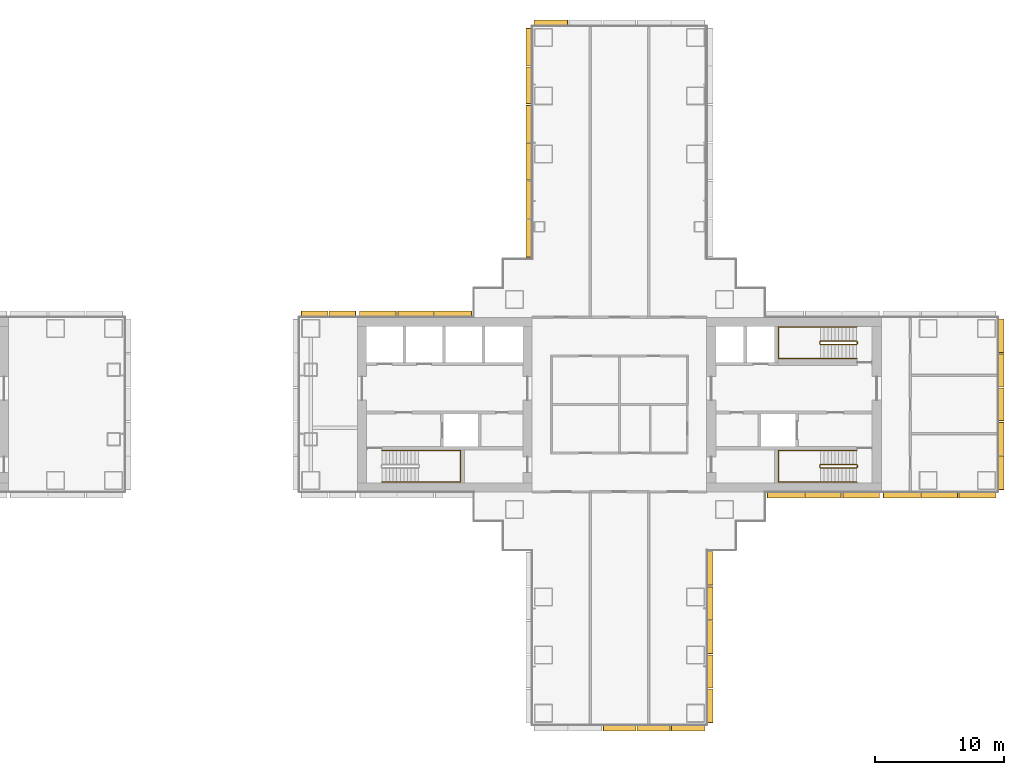
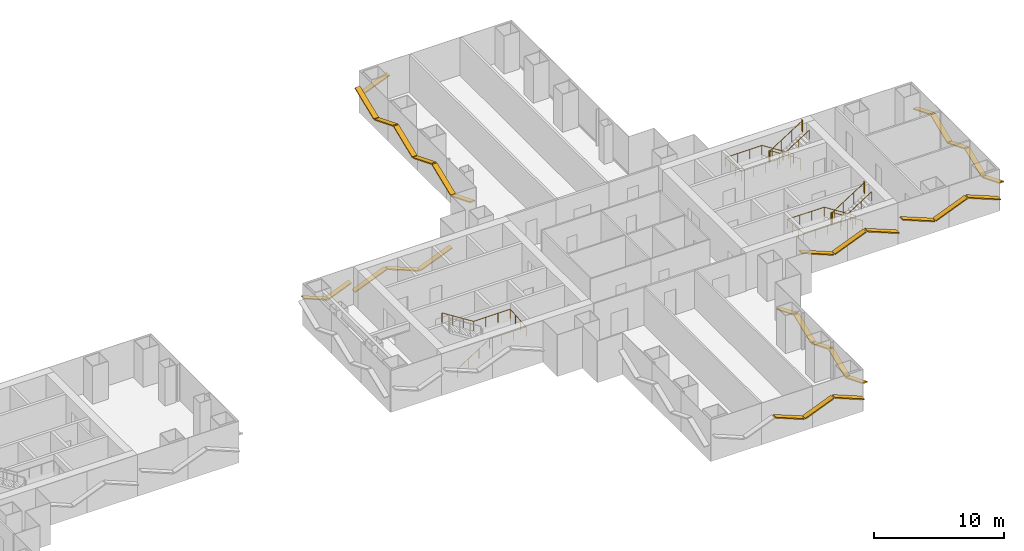
# One storey, part 20 of 21: 31 shading devices, 5 railings.
"""IFC4 building model written with IfcOpenShell, lengths in metres."""

import ifcopenshell
import ifcopenshell.guid

model = None  # the IFC model being written
_history = None  # IfcOwnerHistory: only IFC2X3 demands one
_inside = {}  # id of a spatial element -> (the spatial element, [elements in it])
_under = {}  # id of a project, library or spatial element -> (it, [spatial elements below it])
_declared = {}  # id of a project -> (the project, [libraries it declares])
_typed = {}  # id of a type object -> (the type object, [elements of that type])
_made_of = {}  # id of a material, layer set ... -> (it, [elements and type objects made of it])


def new_model(schema):
    """Start an empty IFC model of exactly this schema.

    Asked for "IFC4X3", IfcOpenShell would pick the latest addendum, in which some entities
    have other attributes; the version numbers below select the first issue.
    IFC2X3 requires an IfcOwnerHistory on every rooted entity: one is made here for all.
    """
    global model, _history
    if schema == "IFC4X3":
        model = ifcopenshell.file(schema_version=(4, 3, 0, 0))
    else:
        model = ifcopenshell.file(schema=schema)
    _inside.clear()
    _under.clear()
    _declared.clear()
    _typed.clear()
    _made_of.clear()
    _history = None
    if model.schema == "IFC2X3":
        org = make("IfcOrganization", Name="unknown")
        user = make(
            "IfcPersonAndOrganization",
            ThePerson=make("IfcPerson", FamilyName="unknown"),
            TheOrganization=org,
        )
        app = make(
            "IfcApplication",
            ApplicationDeveloper=org,
            Version="unknown",
            ApplicationFullName="unknown",
            ApplicationIdentifier="unknown",
        )
        _history = make(
            "IfcOwnerHistory",
            OwningUser=user,
            OwningApplication=app,
            ChangeAction="ADDED",
            CreationDate=0,
        )
    return model


def make(cls, **values):
    """One entity of the class cls with the attributes given. An attribute that is None is left unset."""
    return model.create_entity(
        cls, **{name: value for name, value in values.items() if value is not None}
    )


def rooted(cls, **values):
    """An entity with a GlobalId (a new one), such as an element, a storey or a relation."""
    return make(cls, GlobalId=ifcopenshell.guid.new(), OwnerHistory=_history, **values)


def si_unit(unit_type, name, prefix=None):
    """IfcSIUnit, for example si_unit("LENGTHUNIT", "METRE", prefix="MILLI")."""
    return make("IfcSIUnit", UnitType=unit_type, Prefix=prefix, Name=name)


def assignment(units):
    """IfcUnitAssignment: the units of a project."""
    return None if units is None else make("IfcUnitAssignment", Units=units)


def point(xyz):
    """IfcCartesianPoint."""
    return None if xyz is None else make("IfcCartesianPoint", Coordinates=xyz)


def direction(xyz):
    """IfcDirection."""
    return None if xyz is None else make("IfcDirection", DirectionRatios=xyz)


def frame(location, z_axis=None, x_axis=None):
    """IfcAxis2Placement3D, a coordinate frame: its origin and axes. An axis left out is left unset."""
    return make(
        "IfcAxis2Placement3D",
        Location=point(location),
        Axis=direction(z_axis),
        RefDirection=direction(x_axis),
    )


def frame_2d(location, x_axis=None):
    """IfcAxis2Placement2D, a coordinate frame in the plane: its origin and x axis."""
    return make(
        "IfcAxis2Placement2D", Location=point(location), RefDirection=direction(x_axis)
    )


def origin():
    """The frame at (0, 0, 0) with its axes left unset."""
    return frame((0.0, 0.0, 0.0))


def origin_2d():
    """The frame at (0, 0) in the plane with its x axis left unset."""
    return frame_2d((0.0, 0.0))


def place(relative_to, where):
    """IfcLocalPlacement: puts the frame where relative to a parent placement (None: the world)."""
    return make(
        "IfcLocalPlacement", PlacementRelTo=relative_to, RelativePlacement=where
    )


def context(
    kind, dimensions, precision=None, world=None, true_north=None, identifier=None
):
    """IfcGeometricRepresentationContext, for example the 3D "Model" context."""
    return make(
        "IfcGeometricRepresentationContext",
        ContextIdentifier=identifier,
        ContextType=kind,
        CoordinateSpaceDimension=dimensions,
        Precision=precision,
        WorldCoordinateSystem=world,
        TrueNorth=true_north,
    )


def subcontext(parent, identifier, kind, view, scale=None):
    """IfcGeometricRepresentationSubContext, for example "Body" below "Model"."""
    return make(
        "IfcGeometricRepresentationSubContext",
        ContextIdentifier=identifier,
        ContextType=kind,
        ParentContext=parent,
        TargetScale=scale,
        TargetView=view,
    )


def project(units=None, contexts=None):
    """IfcProject with its units and contexts."""
    return rooted(
        "IfcProject",
        Name="project",
        RepresentationContexts=contexts,
        UnitsInContext=assignment(units),
    )


def spatial(cls, under=None, at=None, **own):
    """A site, building, storey or space (cls), placed at a placement, below another one or the project."""
    s = rooted(cls, ObjectPlacement=at, **own)
    if under is not None:
        _under.setdefault(under.id(), (under, []))[1].append(s)
    return s


def profile(cls, at=None, kind="AREA", **sizes):
    """A parametric profile (cls). Its sizes go by their IFC names, for example OverallWidth=200.0."""
    return make(cls, ProfileType=kind, Position=at, **sizes)


def rectangle(**sizes):
    """IfcRectangleProfileDef."""
    return profile("IfcRectangleProfileDef", **sizes)


def circle(**sizes):
    """IfcCircleProfileDef."""
    return profile("IfcCircleProfileDef", **sizes)


def extrude(swept, where, along, depth):
    """IfcExtrudedAreaSolid: the profile swept, set in the frame where, extruded along a direction by depth."""
    return make(
        "IfcExtrudedAreaSolid",
        SweptArea=swept,
        Position=where,
        ExtrudedDirection=direction(along),
        Depth=depth,
    )


def shape(context_of_items, identifier, shape_type, items):
    """IfcShapeRepresentation: the items that make up one representation, for example the "Body"."""
    return make(
        "IfcShapeRepresentation",
        ContextOfItems=context_of_items,
        RepresentationIdentifier=identifier,
        RepresentationType=shape_type,
        Items=items,
    )


def material(Name=None, Category=None):
    """IfcMaterial."""
    return make("IfcMaterial", Name=Name, Category=Category)


def material_profile(
    of_material, cross_section, Name=None, Category=None, Priority=None
):
    """IfcMaterialProfile: a cross section and its material."""
    return make(
        "IfcMaterialProfile",
        Name=Name,
        Material=of_material,
        Profile=cross_section,
        Priority=Priority,
        Category=Category,
    )


def profile_set(profiles, Name=None, composite=None):
    """IfcMaterialProfileSet."""
    return make(
        "IfcMaterialProfileSet",
        Name=Name,
        MaterialProfiles=profiles,
        CompositeProfile=composite,
    )


def made_of(thing, what):
    """Note that an element or type object is made of a material, layer set ...; save() writes the relation."""
    if what is not None:
        _made_of.setdefault(what.id(), (what, []))[1].append(thing)
    return thing


def type_object(cls, material=None, **own):
    """A type object (cls), such as IfcWallType, which elements share."""
    return made_of(rooted(cls, **own), material)


def element(
    cls,
    number,
    at=None,
    inside=None,
    cuts=None,
    type_object=None,
    material=None,
    context=None,
    identifier="Body",
    shape_type=None,
    held_by="IfcProductDefinitionShape",
    body=None,
    shapes=None,
    **own,
):
    """One element of the class cls, such as IfcWall. Its Tag is "e" and its number.

    at: its placement. inside: the storey or other place that contains it. cuts: it is an
    opening in that element (IfcRelVoidsElement). A single representation is given by context,
    identifier, shape_type and body (its items); several are given by shapes. held_by: the class
    of the entity that holds the representations. save() writes the other relations.
    """
    e = rooted(cls, Tag="e%d" % number, ObjectPlacement=at, **own)
    if body is not None:
        shapes = [shape(context, identifier, shape_type, body)]
    if shapes is not None:
        e.Representation = make(held_by, Representations=shapes)
    if inside is not None:
        _inside.setdefault(inside.id(), (inside, []))[1].append(e)
    if cuts is not None:
        rooted(
            "IfcRelVoidsElement", RelatingBuildingElement=cuts, RelatedOpeningElement=e
        )
    if type_object is not None:
        _typed.setdefault(type_object.id(), (type_object, []))[1].append(e)
    return made_of(e, material)


def aggregate(whole, parts):
    """IfcRelAggregates: a whole, such as a stair, and the parts it consists of."""
    return rooted("IfcRelAggregates", RelatingObject=whole, RelatedObjects=parts)


def save(model, path):
    """Write the relations noted so far, then the file.

    IfcRelAggregates (storeys below a building ...), IfcRelContainedInSpatialStructure (elements
    in a storey), IfcRelDefinesByType, IfcRelAssociatesMaterial and IfcRelDeclares: one each for
    every whole, place, type object, material and project.
    """
    for whole, parts in _under.values():
        aggregate(whole, parts)
    for where, things in _inside.values():
        rooted(
            "IfcRelContainedInSpatialStructure",
            RelatedElements=things,
            RelatingStructure=where,
        )
    for kind, things in _typed.values():
        rooted("IfcRelDefinesByType", RelatedObjects=things, RelatingType=kind)
    for what, things in _made_of.values():
        rooted("IfcRelAssociatesMaterial", RelatedObjects=things, RelatingMaterial=what)
    for by, libraries in _declared.values():
        rooted("IfcRelDeclares", RelatingContext=by, RelatedDefinitions=libraries)
    model.write(path)


model = new_model("IFC4")

# Units and contexts
model_context = context("Model", 3, precision=1e-05, world=origin(), true_north=direction((0.0, 1.0)))
body_context = subcontext(model_context, "Body", "Model", "MODEL_VIEW")
ifc_project = project(units=[si_unit("LENGTHUNIT", "METRE"), si_unit("AREAUNIT", "SQUARE_METRE"), si_unit("VOLUMEUNIT", "CUBIC_METRE"), si_unit("PLANEANGLEUNIT", "RADIAN"), si_unit("MASSUNIT", "GRAM", prefix="KILO")], contexts=[model_context])

# Site, building, storey
site_placement = place(None, origin())
site = spatial("IfcSite", under=ifc_project, at=site_placement, CompositionType="ELEMENT")
building_placement = place(site_placement, origin())
building = spatial("IfcBuilding", under=site, at=building_placement, Name="Shamsa Quay Exchange Towers", CompositionType="ELEMENT")
storey_placement = place(building_placement, frame((0.0, 0.0, 57.60009765625)))
storey = spatial("IfcBuildingStorey", under=building, at=storey_placement, Name="L12", CompositionType="ELEMENT", Elevation=57.60009765625)

# Shading devices
ifc_material_1 = material(Name="Aluminium EN AW-6063 T6, black anodised", Category="aluminium")
ifc_material_profile = material_profile(ifc_material_1, rectangle(XDim=0.449951171875, YDim=0.10009765625, at=origin_2d()), Name="FIN450x100")
ifc_profile_set = profile_set([ifc_material_profile], Name="Aluminium EN AW-6063 T6, black anodised")
shading_device_type = type_object("IfcShadingDeviceType", Name="FIN 450x100 BLACK ALUMINIUM", PredefinedType="USERDEFINED", material=ifc_profile_set)
shading_device_1_placement = place(storey_placement, frame((45.18798828125, -7.01904296875, 2.173095703125), z_axis=(0.927172570945, 0.0, -0.374634520148), x_axis=(0.0, 1.0, 0.0)))
element("IfcShadingDevice", 1, at=shading_device_1_placement, inside=storey, type_object=shading_device_type, Name="FIN T2 chevron rib", ObjectType="FIN", PredefinedType="USERDEFINED", context=body_context, shape_type="SweptSolid", body=[
    extrude(rectangle(XDim=0.449951171875, YDim=0.10009765625, at=origin_2d()), origin(), (0.0, 0.0, 1.0), 3.060302734375),
])
shading_device_2_placement = place(storey_placement, frame((48.125244140625, -7.01904296875, 1.036865234375), z_axis=(0.927177294124, 0.0, 0.374622830673), x_axis=(0.0, 1.0, 0.0)))
element("IfcShadingDevice", 2, at=shading_device_2_placement, inside=storey, type_object=shading_device_type, Name="FIN T2 chevron rib", ObjectType="FIN", PredefinedType="USERDEFINED", context=body_context, shape_type="SweptSolid", body=[
    extrude(rectangle(XDim=0.449951171875, YDim=0.10009765625, at=origin_2d()), origin(), (0.0, 0.0, 1.0), 3.00634765625),
])
shading_device_3_placement = place(storey_placement, frame((51.0126953125, -7.01904296875, 2.173095703125), z_axis=(0.927172570945, 0.0, -0.374634520148), x_axis=(0.0, 1.0, 0.0)))
element("IfcShadingDevice", 3, at=shading_device_3_placement, inside=storey, type_object=shading_device_type, Name="FIN T2 chevron rib", ObjectType="FIN", PredefinedType="USERDEFINED", context=body_context, shape_type="SweptSolid", body=[
    extrude(rectangle(XDim=0.449951171875, YDim=0.10009765625, at=origin_2d()), origin(), (0.0, 0.0, 1.0), 3.060302734375),
])
shading_device_4_placement = place(storey_placement, frame((54.14990234375, -7.014892578125, 2.175537109375), z_axis=(0.927200465101, 0.0, -0.374565478278), x_axis=(0.0, 1.0, 0.0)))
element("IfcShadingDevice", 4, at=shading_device_4_placement, inside=storey, type_object=shading_device_type, Name="FIN T2 chevron rib", ObjectType="FIN", PredefinedType="USERDEFINED", context=body_context, shape_type="SweptSolid", body=[
    extrude(rectangle(XDim=0.449951171875, YDim=0.10009765625, at=origin_2d()), origin(), (0.0, 0.0, 1.0), 3.073974609375),
])
shading_device_5_placement = place(storey_placement, frame((57.10009765625, -7.014892578125, 1.0341796875), z_axis=(0.927166240011, 0.0, 0.37465018802), x_axis=(0.0, 1.0, 0.0)))
element("IfcShadingDevice", 5, at=shading_device_5_placement, inside=storey, type_object=shading_device_type, Name="FIN T2 chevron rib", ObjectType="FIN", PredefinedType="USERDEFINED", context=body_context, shape_type="SweptSolid", body=[
    extrude(rectangle(XDim=0.449951171875, YDim=0.10009765625, at=origin_2d()), origin(), (0.0, 0.0, 1.0), 3.019775390625),
])
shading_device_6_placement = place(storey_placement, frame((60.0, -7.014892578125, 2.175537109375), z_axis=(0.927200465101, 0.0, -0.374565478278), x_axis=(0.0, 1.0, 0.0)))
element("IfcShadingDevice", 6, at=shading_device_6_placement, inside=storey, type_object=shading_device_type, Name="FIN T2 chevron rib", ObjectType="FIN", PredefinedType="USERDEFINED", context=body_context, shape_type="SweptSolid", body=[
    extrude(rectangle(XDim=0.449951171875, YDim=0.10009765625, at=origin_2d()), origin(), (0.0, 0.0, 1.0), 3.073974609375),
])
shading_device_7_placement = place(storey_placement, frame((63.264892578125, -6.60009765625, 2.123046875), z_axis=(0.0, 0.927193392866, -0.374582984431), x_axis=(-1.0, 0.0, 0.0)))
element("IfcShadingDevice", 7, at=shading_device_7_placement, inside=storey, type_object=shading_device_type, Name="FIN T2 chevron rib", ObjectType="FIN", PredefinedType="USERDEFINED", context=body_context, shape_type="SweptSolid", body=[
    extrude(rectangle(XDim=0.449951171875, YDim=0.10009765625, at=origin_2d()), origin(), (0.0, 0.0, 1.0), 2.79345703125),
])
shading_device_8_placement = place(storey_placement, frame((63.264892578125, -3.909912109375, 1.086669921875), z_axis=(0.0, 0.927155522456, 0.374676710219), x_axis=(-1.0, 0.0, 0.0)))
element("IfcShadingDevice", 8, at=shading_device_8_placement, inside=storey, type_object=shading_device_type, Name="FIN T2 chevron rib", ObjectType="FIN", PredefinedType="USERDEFINED", context=body_context, shape_type="SweptSolid", body=[
    extrude(rectangle(XDim=0.449951171875, YDim=0.10009765625, at=origin_2d()), origin(), (0.0, 0.0, 1.0), 2.7392578125),
])
shading_device_9_placement = place(storey_placement, frame((63.264892578125, -1.27001953125, 2.113037109375), z_axis=(0.0, 0.927168032348, -0.374645752402), x_axis=(-1.0, 0.0, 0.0)))
element("IfcShadingDevice", 9, at=shading_device_9_placement, inside=storey, type_object=shading_device_type, Name="FIN T2 chevron rib", ObjectType="FIN", PredefinedType="USERDEFINED", context=body_context, shape_type="SweptSolid", body=[
    extrude(rectangle(XDim=0.449951171875, YDim=0.10009765625, at=origin_2d()), origin(), (0.0, 0.0, 1.0), 2.739501953125),
])
shading_device_10_placement = place(storey_placement, frame((63.264892578125, 1.3701171875, 1.086669921875), z_axis=(0.0, 0.927155522456, 0.374676710219), x_axis=(-1.0, 0.0, 0.0)))
element("IfcShadingDevice", 10, at=shading_device_10_placement, inside=storey, type_object=shading_device_type, Name="FIN T2 chevron rib", ObjectType="FIN", PredefinedType="USERDEFINED", context=body_context, shape_type="SweptSolid", body=[
    extrude(rectangle(XDim=0.449951171875, YDim=0.10009765625, at=origin_2d()), origin(), (0.0, 0.0, 1.0), 2.7392578125),
])
for number, where, z_axis, x_axis, name in (
    (11, (63.264892578125, 4.010009765625, 2.123046875), (0.0, 0.927193392866, -0.374582984431), (-1.0, 0.0, 0.0), "FIN T2 chevron rib"),
    (12, (29.739990234375, 29.514892578125, 2.123046875), (-0.927193392866, 0.0, -0.374582984431), (0.0, -1.0, 0.0), "FIN T2 chevron rib"),
):
    element("IfcShadingDevice", number, at=place(storey_placement, frame(where, z_axis=z_axis, x_axis=x_axis)), inside=storey, type_object=shading_device_type, Name=name, ObjectType="FIN", PredefinedType="USERDEFINED", context=body_context, shape_type="SweptSolid", body=[
        extrude(rectangle(XDim=0.449951171875, YDim=0.10009765625, at=origin_2d()), origin(), (0.0, 0.0, 1.0), 2.79345703125),
    ])
shading_device_11_placement = place(storey_placement, frame((26.735107421875, 29.10009765625, 2.185791015625), z_axis=(0.0, -0.927195444727, -0.374577905484), x_axis=(1.0, 0.0, 0.0)))
element("IfcShadingDevice", 13, at=shading_device_11_placement, inside=storey, type_object=shading_device_type, Name="FIN T2 chevron rib", ObjectType="FIN", PredefinedType="USERDEFINED", context=body_context, shape_type="SweptSolid", body=[
    extrude(rectangle(XDim=0.449951171875, YDim=0.10009765625, at=origin_2d()), origin(), (0.0, 0.0, 1.0), 3.1279296875),
])
shading_device_12_placement = place(storey_placement, frame((26.735107421875, 26.10009765625, 1.024169921875), z_axis=(0.0, -0.927200465101, 0.374565478278), x_axis=(1.0, 0.0, 0.0)))
element("IfcShadingDevice", 14, at=shading_device_12_placement, inside=storey, type_object=shading_device_type, Name="FIN T2 chevron rib", ObjectType="FIN", PredefinedType="USERDEFINED", context=body_context, shape_type="SweptSolid", body=[
    extrude(rectangle(XDim=0.449951171875, YDim=0.10009765625, at=origin_2d()), origin(), (0.0, 0.0, 1.0), 3.073974609375),
])
for number, where, z_axis, x_axis, name in (
    (15, (26.735107421875, 23.14990234375, 2.175537109375), (0.0, -0.927189320682, -0.374593064023), (1.0, 0.0, 0.0), "FIN T2 chevron rib"),
    (16, (26.735107421875, 20.199951171875, 1.024169921875), (0.0, -0.927189320682, 0.374593064023), (1.0, 0.0, 0.0), "FIN T2 chevron rib"),
):
    element("IfcShadingDevice", number, at=place(storey_placement, frame(where, z_axis=z_axis, x_axis=x_axis)), inside=storey, type_object=shading_device_type, Name=name, ObjectType="FIN", PredefinedType="USERDEFINED", context=body_context, shape_type="SweptSolid", body=[
        extrude(rectangle(XDim=0.449951171875, YDim=0.10009765625, at=origin_2d()), origin(), (0.0, 0.0, 1.0), 3.07373046875),
    ])
shading_device_13_placement = place(storey_placement, frame((26.735107421875, 17.25, 2.175537109375), z_axis=(0.0, -0.927200465101, -0.374565478278), x_axis=(1.0, 0.0, 0.0)))
element("IfcShadingDevice", 17, at=shading_device_13_placement, inside=storey, type_object=shading_device_type, Name="FIN T2 chevron rib", ObjectType="FIN", PredefinedType="USERDEFINED", context=body_context, shape_type="SweptSolid", body=[
    extrude(rectangle(XDim=0.449951171875, YDim=0.10009765625, at=origin_2d()), origin(), (0.0, 0.0, 1.0), 3.073974609375),
])
shading_device_14_placement = place(storey_placement, frame((26.735107421875, 14.300048828125, 1.01416015625), z_axis=(0.0, -0.927195444727, 0.374577905484), x_axis=(1.0, 0.0, 0.0)))
element("IfcShadingDevice", 18, at=shading_device_14_placement, inside=storey, type_object=shading_device_type, Name="FIN T2 chevron rib", ObjectType="FIN", PredefinedType="USERDEFINED", context=body_context, shape_type="SweptSolid", body=[
    extrude(rectangle(XDim=0.449951171875, YDim=0.10009765625, at=origin_2d()), origin(), (0.0, 0.0, 1.0), 3.1279296875),
])
shading_device_15_placement = place(storey_placement, frame((22.31201171875, 7.01904296875, 2.173095703125), z_axis=(-0.927172570945, 0.0, -0.374634520148), x_axis=(0.0, -1.0, 0.0)))
element("IfcShadingDevice", 19, at=shading_device_15_placement, inside=storey, type_object=shading_device_type, Name="FIN T2 chevron rib", ObjectType="FIN", PredefinedType="USERDEFINED", context=body_context, shape_type="SweptSolid", body=[
    extrude(rectangle(XDim=0.449951171875, YDim=0.10009765625, at=origin_2d()), origin(), (0.0, 0.0, 1.0), 3.060302734375),
])
shading_device_16_placement = place(storey_placement, frame((19.374755859375, 7.01904296875, 1.036865234375), z_axis=(-0.927177294124, 0.0, 0.374622830673), x_axis=(0.0, -1.0, 0.0)))
element("IfcShadingDevice", 20, at=shading_device_16_placement, inside=storey, type_object=shading_device_type, Name="FIN T2 chevron rib", ObjectType="FIN", PredefinedType="USERDEFINED", context=body_context, shape_type="SweptSolid", body=[
    extrude(rectangle(XDim=0.449951171875, YDim=0.10009765625, at=origin_2d()), origin(), (0.0, 0.0, 1.0), 3.00634765625),
])
shading_device_17_placement = place(storey_placement, frame((16.4873046875, 7.01904296875, 2.173095703125), z_axis=(-0.927172570945, 0.0, -0.374634520148), x_axis=(0.0, -1.0, 0.0)))
element("IfcShadingDevice", 21, at=shading_device_17_placement, inside=storey, type_object=shading_device_type, Name="FIN T2 chevron rib", ObjectType="FIN", PredefinedType="USERDEFINED", context=body_context, shape_type="SweptSolid", body=[
    extrude(rectangle(XDim=0.449951171875, YDim=0.10009765625, at=origin_2d()), origin(), (0.0, 0.0, 1.0), 3.060302734375),
])
for number, where, z_axis, x_axis, name in (
    (22, (13.35009765625, 7.014892578125, 2.013916015625), (-0.927207179475, 0.0, -0.374548857066), (0.0, -1.0, 0.0), "FIN T2 chevron rib"),
    (23, (11.199951171875, 7.014892578125, 1.185791015625), (-0.927207179475, 0.0, 0.374548857066), (0.0, -1.0, 0.0), "FIN T2 chevron rib"),
):
    element("IfcShadingDevice", number, at=place(storey_placement, frame(where, z_axis=z_axis, x_axis=x_axis)), inside=storey, type_object=shading_device_type, Name=name, ObjectType="FIN", PredefinedType="USERDEFINED", context=body_context, shape_type="SweptSolid", body=[
        extrude(rectangle(XDim=0.449951171875, YDim=0.10009765625, at=origin_2d()), origin(), (0.0, 0.0, 1.0), 2.2109375),
    ])
shading_device_18_placement = place(storey_placement, frame((32.47998046875, -25.014892578125, 2.113037109375), z_axis=(0.927168032348, 0.0, -0.374645752402), x_axis=(0.0, 1.0, 0.0)))
element("IfcShadingDevice", 24, at=shading_device_18_placement, inside=storey, type_object=shading_device_type, Name="FIN T2 chevron rib", ObjectType="FIN", PredefinedType="USERDEFINED", context=body_context, shape_type="SweptSolid", body=[
    extrude(rectangle(XDim=0.449951171875, YDim=0.10009765625, at=origin_2d()), origin(), (0.0, 0.0, 1.0), 2.739501953125),
])
shading_device_19_placement = place(storey_placement, frame((35.1201171875, -25.014892578125, 1.086669921875), z_axis=(0.927155522456, 0.0, 0.374676710219), x_axis=(0.0, 1.0, 0.0)))
element("IfcShadingDevice", 25, at=shading_device_19_placement, inside=storey, type_object=shading_device_type, Name="FIN T2 chevron rib", ObjectType="FIN", PredefinedType="USERDEFINED", context=body_context, shape_type="SweptSolid", body=[
    extrude(rectangle(XDim=0.449951171875, YDim=0.10009765625, at=origin_2d()), origin(), (0.0, 0.0, 1.0), 2.7392578125),
])
for number, where, z_axis, x_axis, name in (
    (26, (37.760009765625, -25.014892578125, 2.123046875), (0.927193392866, 0.0, -0.374582984431), (0.0, 1.0, 0.0), "FIN T2 chevron rib"),
    (27, (40.764892578125, -24.60009765625, 2.123046875), (0.0, 0.927193392866, -0.374582984431), (-1.0, 0.0, 0.0), "FIN T2 chevron rib"),
):
    element("IfcShadingDevice", number, at=place(storey_placement, frame(where, z_axis=z_axis, x_axis=x_axis)), inside=storey, type_object=shading_device_type, Name=name, ObjectType="FIN", PredefinedType="USERDEFINED", context=body_context, shape_type="SweptSolid", body=[
        extrude(rectangle(XDim=0.449951171875, YDim=0.10009765625, at=origin_2d()), origin(), (0.0, 0.0, 1.0), 2.79345703125),
    ])
shading_device_20_placement = place(storey_placement, frame((40.764892578125, -21.909912109375, 1.086669921875), z_axis=(0.0, 0.927155522456, 0.374676710219), x_axis=(-1.0, 0.0, 0.0)))
element("IfcShadingDevice", 28, at=shading_device_20_placement, inside=storey, type_object=shading_device_type, Name="FIN T2 chevron rib", ObjectType="FIN", PredefinedType="USERDEFINED", context=body_context, shape_type="SweptSolid", body=[
    extrude(rectangle(XDim=0.449951171875, YDim=0.10009765625, at=origin_2d()), origin(), (0.0, 0.0, 1.0), 2.7392578125),
])
shading_device_21_placement = place(storey_placement, frame((40.764892578125, -19.27001953125, 2.113037109375), z_axis=(0.0, 0.927168032348, -0.374645752402), x_axis=(-1.0, 0.0, 0.0)))
element("IfcShadingDevice", 29, at=shading_device_21_placement, inside=storey, type_object=shading_device_type, Name="FIN T2 chevron rib", ObjectType="FIN", PredefinedType="USERDEFINED", context=body_context, shape_type="SweptSolid", body=[
    extrude(rectangle(XDim=0.449951171875, YDim=0.10009765625, at=origin_2d()), origin(), (0.0, 0.0, 1.0), 2.739501953125),
])
shading_device_22_placement = place(storey_placement, frame((40.764892578125, -16.6298828125, 1.086669921875), z_axis=(0.0, 0.927155522456, 0.374676710219), x_axis=(-1.0, 0.0, 0.0)))
element("IfcShadingDevice", 30, at=shading_device_22_placement, inside=storey, type_object=shading_device_type, Name="FIN T2 chevron rib", ObjectType="FIN", PredefinedType="USERDEFINED", context=body_context, shape_type="SweptSolid", body=[
    extrude(rectangle(XDim=0.449951171875, YDim=0.10009765625, at=origin_2d()), origin(), (0.0, 0.0, 1.0), 2.7392578125),
])
shading_device_23_placement = place(storey_placement, frame((40.764892578125, -13.989990234375, 2.123046875), z_axis=(0.0, 0.927193392866, -0.374582984431), x_axis=(-1.0, 0.0, 0.0)))
element("IfcShadingDevice", 31, at=shading_device_23_placement, inside=storey, type_object=shading_device_type, Name="FIN T2 chevron rib", ObjectType="FIN", PredefinedType="USERDEFINED", context=body_context, shape_type="SweptSolid", body=[
    extrude(rectangle(XDim=0.449951171875, YDim=0.10009765625, at=origin_2d()), origin(), (0.0, 0.0, 1.0), 2.79345703125),
])

# Railings
ifc_material_2 = material(Name="Stainless steel", Category="steel")
railing_type_1 = type_object("IfcRailingType", Name="STAIR GUARD 1100", PredefinedType="GUARDRAIL", material=ifc_material_2)
railing_1_placement = place(storey_placement, frame((52.10009765625, -4.64990234375, 0.17724609375)))
element("IfcRailing", 32, at=railing_1_placement, inside=storey, type_object=railing_type_1, Name="L12 ST5 stair guard 1", PredefinedType="GUARDRAIL", context=body_context, shape_type="SweptSolid", body=[
    extrude(circle(Radius=0.02392578125, at=origin_2d()), frame((0.0, 0.0, 1.076171875), z_axis=(-0.844908973607, 0.0, 0.534910110503), x_axis=(0.0, -1.0, 0.0)), (0.0, 0.0, 1.0), 3.31396484375),
    extrude(circle(Radius=0.02392578125, at=origin_2d()), frame((-2.800048828125, 0.0, 2.8486328125), z_axis=(-0.707106781187, -0.707106781187, 0.0), x_axis=(0.707106781187, -0.707106781187, 0.0)), (0.0, 0.0, 1.0), 0.07080078125),
    extrude(circle(Radius=0.02392578125, at=origin_2d()), frame((-2.85009765625, -0.050048828125, 2.8486328125), z_axis=(0.0, -1.0, 0.0), x_axis=(1.0, 0.0, 0.0)), (0.0, 0.0, 1.0), 0.150146484375),
    extrude(circle(Radius=0.02392578125, at=origin_2d()), frame((-2.85009765625, -0.2001953125, 2.8486328125), z_axis=(0.262321481514, -0.261041864531, 0.929001929653), x_axis=(0.705375805398, 0.708833529934, 0.0)), (0.0, 0.0, 1.0), 0.190673828125),
    extrude(circle(Radius=0.02392578125, at=origin_2d()), frame((-2.800048828125, -0.25, 3.02587890625), z_axis=(0.844908973607, 0.0, 0.534910110503), x_axis=(0.0, 1.0, 0.0)), (0.0, 0.0, 1.0), 3.31396484375),
    extrude(circle(Radius=0.02392578125, at=origin_2d()), frame((0.0, -0.25, 4.798828125), z_axis=(0.241699205484, 0.970351222016, 0.0), x_axis=(-0.970351222016, 0.241699205484, 0.0)), (0.0, 0.0, 1.0), 0.2060546875),
    extrude(circle(Radius=0.02392578125, at=origin_2d()), frame((0.0498046875, -0.050048828125, 4.798828125), z_axis=(0.0, -1.0, 0.0), x_axis=(1.0, 0.0, 0.0)), (0.0, 0.0, 1.0), 0.150146484375),
    extrude(circle(Radius=0.02099609375, at=origin_2d()), origin(), (0.0, 0.0, 1.0), 1.052001953125),
    extrude(circle(Radius=0.02099609375, at=origin_2d()), frame((-0.933349609375, 0.0, 0.5908203125)), (0.0, 0.0, 1.0), 1.052001953125),
    extrude(circle(Radius=0.02099609375, at=origin_2d()), frame((-1.86669921875, 0.0, 1.181884765625)), (0.0, 0.0, 1.0), 1.052001953125),
    extrude(circle(Radius=0.02099609375, at=origin_2d()), frame((-2.800048828125, 0.0, 1.772705078125)), (0.0, 0.0, 1.0), 1.052001953125),
    extrude(circle(Radius=0.02099609375, at=origin_2d()), frame((-2.85009765625, -0.050048828125, 1.772705078125)), (0.0, 0.0, 1.0), 1.052001953125),
    extrude(circle(Radius=0.02099609375, at=origin_2d()), frame((-2.85009765625, -0.2001953125, 1.772705078125)), (0.0, 0.0, 1.0), 1.052001953125),
    extrude(circle(Radius=0.02099609375, at=origin_2d()), frame((-2.800048828125, -0.25, 1.949951171875)), (0.0, 0.0, 1.0), 1.052001953125),
    extrude(circle(Radius=0.02099609375, at=origin_2d()), frame((-1.86669921875, -0.25, 2.540771484375)), (0.0, 0.0, 1.0), 1.052001953125),
    extrude(circle(Radius=0.02099609375, at=origin_2d()), frame((-0.933349609375, -0.25, 3.1318359375)), (0.0, 0.0, 1.0), 1.052001953125),
    extrude(circle(Radius=0.02099609375, at=origin_2d()), frame((0.0, -0.25, 3.72265625)), (0.0, 0.0, 1.0), 1.052001953125),
    extrude(circle(Radius=0.02099609375, at=origin_2d()), frame((0.0498046875, -0.050048828125, 3.72265625)), (0.0, 0.0, 1.0), 1.052001953125),
    extrude(circle(Radius=0.02099609375, at=origin_2d()), frame((0.0498046875, -0.2001953125, 3.72265625)), (0.0, 0.0, 1.0), 1.052001953125),
])
railing_2_placement = place(storey_placement, frame((52.10009765625, 4.89990234375, 0.17724609375)))
element("IfcRailing", 33, at=railing_2_placement, inside=storey, type_object=railing_type_1, Name="L12 ST6 stair guard 1", PredefinedType="GUARDRAIL", context=body_context, shape_type="SweptSolid", body=[
    extrude(circle(Radius=0.02392578125, at=origin_2d()), frame((0.0, 0.0, 1.076171875), z_axis=(-0.844908973607, 0.0, 0.534910110503), x_axis=(0.0, -1.0, 0.0)), (0.0, 0.0, 1.0), 3.31396484375),
    extrude(circle(Radius=0.02392578125, at=origin_2d()), frame((-2.800048828125, 0.0, 2.8486328125), z_axis=(-0.708833529934, -0.705375805398, 0.0), x_axis=(0.705375805398, -0.708833529934, 0.0)), (0.0, 0.0, 1.0), 0.070556640625),
    extrude(circle(Radius=0.02392578125, at=origin_2d()), frame((-2.85009765625, -0.0498046875, 2.8486328125), z_axis=(0.0, -1.0, 0.0), x_axis=(1.0, 0.0, 0.0)), (0.0, 0.0, 1.0), 0.150146484375),
    extrude(circle(Radius=0.02392578125, at=origin_2d()), frame((-2.85009765625, -0.199951171875, 2.8486328125), z_axis=(0.262233686654, -0.262233686654, 0.928691007369), x_axis=(0.707106781187, 0.707106781187, 0.0)), (0.0, 0.0, 1.0), 0.19091796875),
    extrude(circle(Radius=0.02392578125, at=origin_2d()), frame((-2.800048828125, -0.25, 3.02587890625), z_axis=(0.844908973607, 0.0, 0.534910110503), x_axis=(0.0, 1.0, 0.0)), (0.0, 0.0, 1.0), 3.31396484375),
    extrude(circle(Radius=0.02392578125, at=origin_2d()), frame((0.0, -0.25, 4.798828125), z_axis=(0.24142163986, 0.970420317083, 0.0), x_axis=(-0.970420317083, 0.24142163986, 0.0)), (0.0, 0.0, 1.0), 0.206298828125),
    extrude(circle(Radius=0.02392578125, at=origin_2d()), frame((0.0498046875, -0.0498046875, 4.798828125), z_axis=(0.0, -1.0, 0.0), x_axis=(1.0, 0.0, 0.0)), (0.0, 0.0, 1.0), 0.150146484375),
    extrude(circle(Radius=0.02099609375, at=origin_2d()), origin(), (0.0, 0.0, 1.0), 1.052001953125),
    extrude(circle(Radius=0.02099609375, at=origin_2d()), frame((-0.933349609375, 0.0, 0.5908203125)), (0.0, 0.0, 1.0), 1.052001953125),
    extrude(circle(Radius=0.02099609375, at=origin_2d()), frame((-1.86669921875, 0.0, 1.181884765625)), (0.0, 0.0, 1.0), 1.052001953125),
    extrude(circle(Radius=0.02099609375, at=origin_2d()), frame((-2.800048828125, 0.0, 1.772705078125)), (0.0, 0.0, 1.0), 1.052001953125),
    extrude(circle(Radius=0.02099609375, at=origin_2d()), frame((-2.85009765625, -0.0498046875, 1.772705078125)), (0.0, 0.0, 1.0), 1.052001953125),
    extrude(circle(Radius=0.02099609375, at=origin_2d()), frame((-2.85009765625, -0.199951171875, 1.772705078125)), (0.0, 0.0, 1.0), 1.052001953125),
    extrude(circle(Radius=0.02099609375, at=origin_2d()), frame((-2.800048828125, -0.25, 1.949951171875)), (0.0, 0.0, 1.0), 1.052001953125),
    extrude(circle(Radius=0.02099609375, at=origin_2d()), frame((-1.86669921875, -0.25, 2.540771484375)), (0.0, 0.0, 1.0), 1.052001953125),
    extrude(circle(Radius=0.02099609375, at=origin_2d()), frame((-0.933349609375, -0.25, 3.1318359375)), (0.0, 0.0, 1.0), 1.052001953125),
    extrude(circle(Radius=0.02099609375, at=origin_2d()), frame((0.0, -0.25, 3.72265625)), (0.0, 0.0, 1.0), 1.052001953125),
    extrude(circle(Radius=0.02099609375, at=origin_2d()), frame((0.0498046875, -0.0498046875, 3.72265625)), (0.0, 0.0, 1.0), 1.052001953125),
    extrude(circle(Radius=0.02099609375, at=origin_2d()), frame((0.0498046875, -0.199951171875, 3.72265625)), (0.0, 0.0, 1.0), 1.052001953125),
])
railing_type_2 = type_object("IfcRailingType", Name="STAIR HANDRAIL 900", PredefinedType="HANDRAIL", material=ifc_material_2)
railing_3_placement = place(storey_placement, frame((15.39990234375, -6.0, 0.17724609375)))
element("IfcRailing", 34, at=railing_3_placement, inside=storey, type_object=railing_type_2, Name="L12 ST4 stair handrail 1", PredefinedType="HANDRAIL", context=body_context, shape_type="SweptSolid", body=[
    extrude(circle(Radius=0.02392578125, at=origin_2d()), frame((0.0, 0.0, 0.8759765625), z_axis=(0.844908973607, 0.0, 0.534910110503), x_axis=(0.0, 1.0, 0.0)), (0.0, 0.0, 1.0), 3.31396484375),
    extrude(circle(Radius=0.02392578125, at=origin_2d()), frame((2.800048828125, 0.0, 2.6484375), z_axis=(1.0, 0.0, 0.0), x_axis=(0.0, 1.0, 0.0)), (0.0, 0.0, 1.0), 3.25),
    extrude(circle(Radius=0.02392578125, at=origin_2d()), frame((6.050048828125, 0.0, 2.6484375), z_axis=(0.0, 0.997393199914, 0.07215819264), x_axis=(-1.0, 0.0, 0.0)), (0.0, 0.0, 1.0), 2.456298828125),
    extrude(circle(Radius=0.02392578125, at=origin_2d()), frame((6.050048828125, 2.449951171875, 2.82568359375), z_axis=(-1.0, 0.0, 0.0), x_axis=(0.0, -1.0, 0.0)), (0.0, 0.0, 1.0), 3.25),
    extrude(circle(Radius=0.02392578125, at=origin_2d()), frame((2.800048828125, 2.449951171875, 2.82568359375), z_axis=(-0.844908973607, 0.0, 0.534910110503), x_axis=(0.0, -1.0, 0.0)), (0.0, 0.0, 1.0), 3.31396484375),
    extrude(circle(Radius=0.02099609375, at=origin_2d()), origin(), (0.0, 0.0, 1.0), 0.851806640625),
    extrude(circle(Radius=0.02099609375, at=origin_2d()), frame((0.933349609375, 0.0, 0.5908203125)), (0.0, 0.0, 1.0), 0.851806640625),
    extrude(circle(Radius=0.02099609375, at=origin_2d()), frame((1.86669921875, 0.0, 1.181884765625)), (0.0, 0.0, 1.0), 0.851806640625),
    extrude(circle(Radius=0.02099609375, at=origin_2d()), frame((2.800048828125, 0.0, 1.772705078125)), (0.0, 0.0, 1.0), 0.851806640625),
    extrude(circle(Radius=0.02099609375, at=origin_2d()), frame((3.88330078125, 0.0, 1.772705078125)), (0.0, 0.0, 1.0), 0.851806640625),
    extrude(circle(Radius=0.02099609375, at=origin_2d()), frame((4.966796875, 0.0, 1.772705078125)), (0.0, 0.0, 1.0), 0.851806640625),
    extrude(circle(Radius=0.02099609375, at=origin_2d()), frame((6.050048828125, 0.0, 1.772705078125)), (0.0, 0.0, 1.0), 0.851806640625),
    extrude(circle(Radius=0.02099609375, at=origin_2d()), frame((6.050048828125, 0.816650390625, 1.831787109375)), (0.0, 0.0, 1.0), 0.851806640625),
    extrude(circle(Radius=0.02099609375, at=origin_2d()), frame((6.050048828125, 1.63330078125, 1.890869140625)), (0.0, 0.0, 1.0), 0.851806640625),
    extrude(circle(Radius=0.02099609375, at=origin_2d()), frame((6.050048828125, 2.449951171875, 1.949951171875)), (0.0, 0.0, 1.0), 0.851806640625),
    extrude(circle(Radius=0.02099609375, at=origin_2d()), frame((4.966796875, 2.449951171875, 1.949951171875)), (0.0, 0.0, 1.0), 0.851806640625),
    extrude(circle(Radius=0.02099609375, at=origin_2d()), frame((3.88330078125, 2.449951171875, 1.949951171875)), (0.0, 0.0, 1.0), 0.851806640625),
    extrude(circle(Radius=0.02099609375, at=origin_2d()), frame((2.800048828125, 2.449951171875, 1.949951171875)), (0.0, 0.0, 1.0), 0.851806640625),
    extrude(circle(Radius=0.02099609375, at=origin_2d()), frame((1.86669921875, 2.449951171875, 2.540771484375)), (0.0, 0.0, 1.0), 0.851806640625),
    extrude(circle(Radius=0.02099609375, at=origin_2d()), frame((0.933349609375, 2.449951171875, 3.1318359375)), (0.0, 0.0, 1.0), 0.851806640625),
    extrude(circle(Radius=0.02099609375, at=origin_2d()), frame((0.0, 2.449951171875, 3.72265625)), (0.0, 0.0, 1.0), 0.851806640625),
])
railing_4_placement = place(storey_placement, frame((52.10009765625, -3.550048828125, 0.17724609375)))
element("IfcRailing", 35, at=railing_4_placement, inside=storey, type_object=railing_type_2, Name="L12 ST5 stair handrail 1", PredefinedType="HANDRAIL", context=body_context, shape_type="SweptSolid", body=[
    extrude(circle(Radius=0.02392578125, at=origin_2d()), frame((0.0, 0.0, 0.8759765625), z_axis=(-0.844908973607, 0.0, 0.534910110503), x_axis=(0.0, -1.0, 0.0)), (0.0, 0.0, 1.0), 3.31396484375),
    extrude(circle(Radius=0.02392578125, at=origin_2d()), frame((-2.800048828125, 0.0, 2.6484375), z_axis=(-1.0, 0.0, 0.0), x_axis=(0.0, -1.0, 0.0)), (0.0, 0.0, 1.0), 3.25),
    extrude(circle(Radius=0.02392578125, at=origin_2d()), frame((-6.050048828125, 0.0, 2.6484375), z_axis=(0.0, -0.997393199914, 0.07215819264), x_axis=(1.0, 0.0, 0.0)), (0.0, 0.0, 1.0), 2.456298828125),
    extrude(circle(Radius=0.02392578125, at=origin_2d()), frame((-6.050048828125, -2.449951171875, 2.82568359375), z_axis=(1.0, 0.0, 0.0), x_axis=(0.0, 1.0, 0.0)), (0.0, 0.0, 1.0), 3.25),
    extrude(circle(Radius=0.02392578125, at=origin_2d()), frame((-2.800048828125, -2.449951171875, 2.82568359375), z_axis=(0.844908973607, 0.0, 0.534910110503), x_axis=(0.0, 1.0, 0.0)), (0.0, 0.0, 1.0), 3.31396484375),
    extrude(circle(Radius=0.02099609375, at=origin_2d()), origin(), (0.0, 0.0, 1.0), 0.851806640625),
    extrude(circle(Radius=0.02099609375, at=origin_2d()), frame((-0.933349609375, 0.0, 0.5908203125)), (0.0, 0.0, 1.0), 0.851806640625),
    extrude(circle(Radius=0.02099609375, at=origin_2d()), frame((-1.86669921875, 0.0, 1.181884765625)), (0.0, 0.0, 1.0), 0.851806640625),
    extrude(circle(Radius=0.02099609375, at=origin_2d()), frame((-2.800048828125, 0.0, 1.772705078125)), (0.0, 0.0, 1.0), 0.851806640625),
    extrude(circle(Radius=0.02099609375, at=origin_2d()), frame((-3.88330078125, 0.0, 1.772705078125)), (0.0, 0.0, 1.0), 0.851806640625),
    extrude(circle(Radius=0.02099609375, at=origin_2d()), frame((-4.966796875, 0.0, 1.772705078125)), (0.0, 0.0, 1.0), 0.851806640625),
    extrude(circle(Radius=0.02099609375, at=origin_2d()), frame((-6.050048828125, 0.0, 1.772705078125)), (0.0, 0.0, 1.0), 0.851806640625),
    extrude(circle(Radius=0.02099609375, at=origin_2d()), frame((-6.050048828125, -0.816650390625, 1.831787109375)), (0.0, 0.0, 1.0), 0.851806640625),
    extrude(circle(Radius=0.02099609375, at=origin_2d()), frame((-6.050048828125, -1.63330078125, 1.890869140625)), (0.0, 0.0, 1.0), 0.851806640625),
    extrude(circle(Radius=0.02099609375, at=origin_2d()), frame((-6.050048828125, -2.449951171875, 1.949951171875)), (0.0, 0.0, 1.0), 0.851806640625),
    extrude(circle(Radius=0.02099609375, at=origin_2d()), frame((-4.966796875, -2.449951171875, 1.949951171875)), (0.0, 0.0, 1.0), 0.851806640625),
    extrude(circle(Radius=0.02099609375, at=origin_2d()), frame((-3.88330078125, -2.449951171875, 1.949951171875)), (0.0, 0.0, 1.0), 0.851806640625),
    extrude(circle(Radius=0.02099609375, at=origin_2d()), frame((-2.800048828125, -2.449951171875, 1.949951171875)), (0.0, 0.0, 1.0), 0.851806640625),
    extrude(circle(Radius=0.02099609375, at=origin_2d()), frame((-1.86669921875, -2.449951171875, 2.540771484375)), (0.0, 0.0, 1.0), 0.851806640625),
    extrude(circle(Radius=0.02099609375, at=origin_2d()), frame((-0.933349609375, -2.449951171875, 3.1318359375)), (0.0, 0.0, 1.0), 0.851806640625),
    extrude(circle(Radius=0.02099609375, at=origin_2d()), frame((0.0, -2.449951171875, 3.72265625)), (0.0, 0.0, 1.0), 0.851806640625),
])
railing_5_placement = place(storey_placement, frame((52.10009765625, 6.0, 0.17724609375)))
element("IfcRailing", 36, at=railing_5_placement, inside=storey, type_object=railing_type_2, Name="L12 ST6 stair handrail 1", PredefinedType="HANDRAIL", context=body_context, shape_type="SweptSolid", body=[
    extrude(circle(Radius=0.02392578125, at=origin_2d()), frame((0.0, 0.0, 0.8759765625), z_axis=(-0.844908973607, 0.0, 0.534910110503), x_axis=(0.0, -1.0, 0.0)), (0.0, 0.0, 1.0), 3.31396484375),
    extrude(circle(Radius=0.02392578125, at=origin_2d()), frame((-2.800048828125, 0.0, 2.6484375), z_axis=(-1.0, 0.0, 0.0), x_axis=(0.0, -1.0, 0.0)), (0.0, 0.0, 1.0), 3.25),
    extrude(circle(Radius=0.02392578125, at=origin_2d()), frame((-6.050048828125, 0.0, 2.6484375), z_axis=(0.0, -0.997393199914, 0.07215819264), x_axis=(1.0, 0.0, 0.0)), (0.0, 0.0, 1.0), 2.456298828125),
    extrude(circle(Radius=0.02392578125, at=origin_2d()), frame((-6.050048828125, -2.449951171875, 2.82568359375), z_axis=(1.0, 0.0, 0.0), x_axis=(0.0, 1.0, 0.0)), (0.0, 0.0, 1.0), 3.25),
    extrude(circle(Radius=0.02392578125, at=origin_2d()), frame((-2.800048828125, -2.449951171875, 2.82568359375), z_axis=(0.844908973607, 0.0, 0.534910110503), x_axis=(0.0, 1.0, 0.0)), (0.0, 0.0, 1.0), 3.31396484375),
    extrude(circle(Radius=0.02099609375, at=origin_2d()), origin(), (0.0, 0.0, 1.0), 0.851806640625),
    extrude(circle(Radius=0.02099609375, at=origin_2d()), frame((-0.933349609375, 0.0, 0.5908203125)), (0.0, 0.0, 1.0), 0.851806640625),
    extrude(circle(Radius=0.02099609375, at=origin_2d()), frame((-1.86669921875, 0.0, 1.181884765625)), (0.0, 0.0, 1.0), 0.851806640625),
    extrude(circle(Radius=0.02099609375, at=origin_2d()), frame((-2.800048828125, 0.0, 1.772705078125)), (0.0, 0.0, 1.0), 0.851806640625),
    extrude(circle(Radius=0.02099609375, at=origin_2d()), frame((-3.88330078125, 0.0, 1.772705078125)), (0.0, 0.0, 1.0), 0.851806640625),
    extrude(circle(Radius=0.02099609375, at=origin_2d()), frame((-4.966796875, 0.0, 1.772705078125)), (0.0, 0.0, 1.0), 0.851806640625),
    extrude(circle(Radius=0.02099609375, at=origin_2d()), frame((-6.050048828125, 0.0, 1.772705078125)), (0.0, 0.0, 1.0), 0.851806640625),
    extrude(circle(Radius=0.02099609375, at=origin_2d()), frame((-6.050048828125, -0.816650390625, 1.831787109375)), (0.0, 0.0, 1.0), 0.851806640625),
    extrude(circle(Radius=0.02099609375, at=origin_2d()), frame((-6.050048828125, -1.63330078125, 1.890869140625)), (0.0, 0.0, 1.0), 0.851806640625),
    extrude(circle(Radius=0.02099609375, at=origin_2d()), frame((-6.050048828125, -2.449951171875, 1.949951171875)), (0.0, 0.0, 1.0), 0.851806640625),
    extrude(circle(Radius=0.02099609375, at=origin_2d()), frame((-4.966796875, -2.449951171875, 1.949951171875)), (0.0, 0.0, 1.0), 0.851806640625),
    extrude(circle(Radius=0.02099609375, at=origin_2d()), frame((-3.88330078125, -2.449951171875, 1.949951171875)), (0.0, 0.0, 1.0), 0.851806640625),
    extrude(circle(Radius=0.02099609375, at=origin_2d()), frame((-2.800048828125, -2.449951171875, 1.949951171875)), (0.0, 0.0, 1.0), 0.851806640625),
    extrude(circle(Radius=0.02099609375, at=origin_2d()), frame((-1.86669921875, -2.449951171875, 2.540771484375)), (0.0, 0.0, 1.0), 0.851806640625),
    extrude(circle(Radius=0.02099609375, at=origin_2d()), frame((-0.933349609375, -2.449951171875, 3.1318359375)), (0.0, 0.0, 1.0), 0.851806640625),
    extrude(circle(Radius=0.02099609375, at=origin_2d()), frame((0.0, -2.449951171875, 3.72265625)), (0.0, 0.0, 1.0), 0.851806640625),
])

save(model, "model.ifc")
